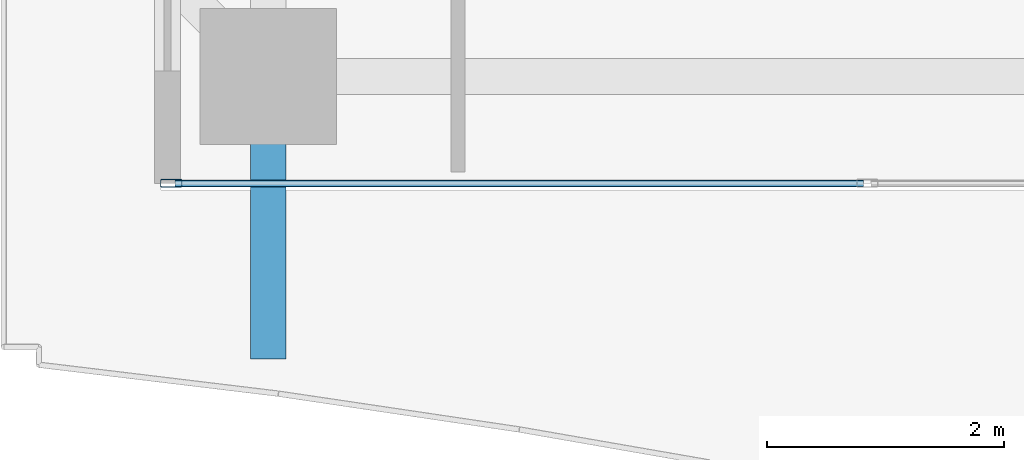
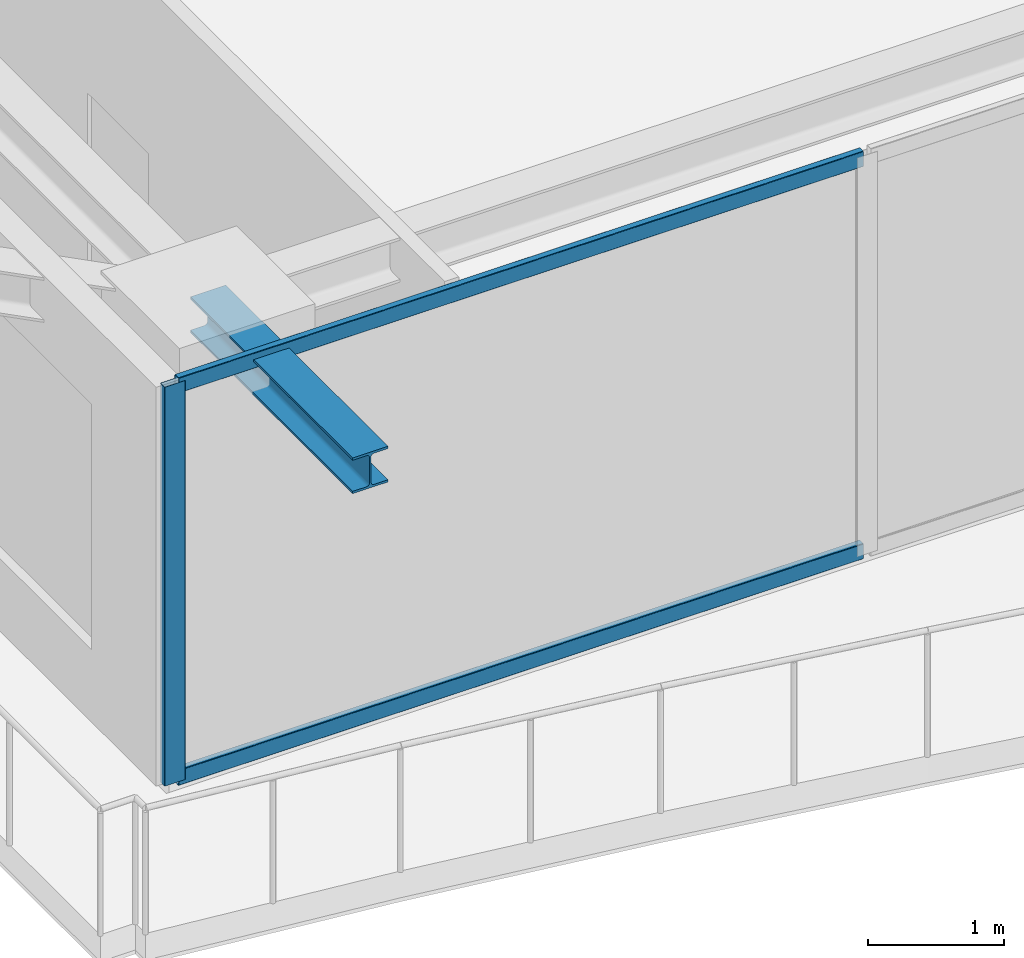
# One storey, part 2 of 36: 3 members, 1 beam, 1 element without a shape of its own.
"""IFC4 building model written with IfcOpenShell, lengths in metres."""

from ifc_helpers import new_model, si_unit, direction, frame, origin, origin_2d, place, context, subcontext, project, spatial, hollow_rectangle, i_section, extrude, source, transform, mapped, material, layer, layer_set, material_profile, profile_set, type_object, element, aggregate, save


model = new_model("IFC4")

# Units and contexts
model_context = context("Model", 3, precision=1e-05, world=origin(), true_north=direction((0.0, 1.0)))
body_context = subcontext(model_context, "Body", "Model", "MODEL_VIEW")
ifc_project = project(units=[si_unit("LENGTHUNIT", "METRE"), si_unit("AREAUNIT", "SQUARE_METRE"), si_unit("VOLUMEUNIT", "CUBIC_METRE"), si_unit("PLANEANGLEUNIT", "RADIAN"), si_unit("MASSUNIT", "GRAM", prefix="KILO")], contexts=[model_context])

# Site, building, storey
site_placement = place(None, origin())
site = spatial("IfcSite", under=ifc_project, at=site_placement, CompositionType="ELEMENT")
building_placement = place(site_placement, origin())
building = spatial("IfcBuilding", under=site, at=building_placement, Name="Serunith Strait Residences", CompositionType="ELEMENT")
storey_placement = place(building_placement, frame((0.0, 0.0, 256.64990234375)))
storey = spatial("IfcBuildingStorey", under=building, at=storey_placement, Name="L64", CompositionType="ELEMENT", Elevation=256.64990234375)

# Beam
ifc_material_1 = material(Name="Steel S355J2", Category="steel")
ifc_material_profile_1 = material_profile(ifc_material_1, i_section(OverallWidth=0.300048828125, OverallDepth=0.320068359375, WebThickness=0.011474609375, FlangeThickness=0.0205078125, FilletRadius=0.027099609375, at=origin_2d()), Name="HEB 320")
ifc_profile_set_1 = profile_set([ifc_material_profile_1], Name="Steel S355J2")
beam_type = type_object("IfcBeamType", Name="BM-HEB320", PredefinedType="BEAM", material=ifc_profile_set_1)
shared_shape_1 = source(origin(), body_context, "Body", "SweptSolid", [
    extrude(i_section(OverallWidth=0.300048828125, OverallDepth=0.320068359375, WebThickness=0.011474609375, FlangeThickness=0.0205078125, FilletRadius=0.027099609375, at=origin_2d()), origin(), (0.0, 0.0, 1.0), 2.3828125),
])
beam_placement = place(storey_placement, frame((16.25, 2.10009765625, 3.397216796875), z_axis=(0.0, -1.0, 0.0), x_axis=(1.0, 0.0, 0.0)))
element("IfcBeam", 1, at=beam_placement, inside=storey, type_object=beam_type, Name="L65 Cantilevered Balcony Rib TC-S1", PredefinedType="BEAM", context=body_context, shape_type="MappedRepresentation", body=[
    mapped(shared_shape_1, transform((0.0, 0.0, 0.0), scale=1.0)),
])

# Curtain wall, members
ifc_material_2 = material(Name="Pale-Champagne Anodised Aluminium", Category="aluminium")
ifc_layer = layer(ifc_material_2, 0.199951171875, Name="Pale-Champagne Anodised Aluminium")
ifc_layer_set = layer_set([ifc_layer], Name="Pale-Champagne Anodised Aluminium")
curtain_wall_type = type_object("IfcCurtainWallType", Name="CW-SYS4", PredefinedType="NOTDEFINED", material=ifc_layer_set)
curtain_wall_placement = place(storey_placement, origin())
curtain_wall = element("IfcCurtainWall", 2, at=curtain_wall_placement, inside=storey, type_object=curtain_wall_type, Name="L64 S Unitised Fritted Curtain Wall", PredefinedType="NOTDEFINED")
ifc_material_profile_2 = material_profile(ifc_material_2, hollow_rectangle(XDim=0.06494140625, YDim=0.179931640625, WallThickness=0.00341796875, InnerFilletRadius=0.00537109375, OuterFilletRadius=0.0087890625, at=origin_2d()), Name="ALU 180x65x3.5")
ifc_profile_set_2 = profile_set([ifc_material_profile_2], Name="Pale-Champagne Anodised Aluminium")
member_type_1 = type_object("IfcMemberType", Name="CW-SYS4-MULL", PredefinedType="MULLION", material=ifc_profile_set_2)
shared_shape_2 = source(origin(), body_context, "Body", "SweptSolid", [
    extrude(hollow_rectangle(XDim=0.06494140625, YDim=0.179931640625, WallThickness=0.00341796875, InnerFilletRadius=0.00537109375, OuterFilletRadius=0.0087890625, at=origin_2d()), origin(), (0.0, 0.0, 1.0), 3.5751953125),
])
member_1_placement = place(storey_placement, frame((15.4326171875, 1.199951171875, 0.0), z_axis=(0.0, 0.0, 1.0), x_axis=(0.0, 1.0, 0.0)))
member_1 = element("IfcMember", 3, at=member_1_placement, type_object=member_type_1, Name="CW-4 mullion 1", PredefinedType="MULLION", context=body_context, shape_type="MappedRepresentation", body=[
    mapped(shared_shape_2, transform((0.0, 0.0, 0.0), scale=1.0)),
])
ifc_material_profile_3 = material_profile(ifc_material_2, hollow_rectangle(XDim=0.06005859375, YDim=0.139892578125, WallThickness=0.00341796875, InnerFilletRadius=0.00537109375, OuterFilletRadius=0.0087890625, at=origin_2d()), Name="ALU 140x60x3.5")
ifc_profile_set_3 = profile_set([ifc_material_profile_3], Name="Pale-Champagne Anodised Aluminium")
member_type_2 = type_object("IfcMemberType", Name="CW-SYS4-TRAN", PredefinedType="USERDEFINED", material=ifc_profile_set_3)
shared_shape_3 = source(origin(), body_context, "Body", "SweptSolid", [
    extrude(hollow_rectangle(XDim=0.06005859375, YDim=0.139892578125, WallThickness=0.00341796875, InnerFilletRadius=0.00537109375, OuterFilletRadius=0.0087890625, at=origin_2d()), origin(), (0.0, 0.0, 1.0), 5.802490234375),
])
member_2_placement = place(storey_placement, frame((15.465087890625, 1.199951171875, 0.030029296875), z_axis=(1.0, 0.0, 0.0), x_axis=(0.0, 1.0, 0.0)))
member_2 = element("IfcMember", 4, at=member_2_placement, type_object=member_type_2, Name="CW-4 transom 1.1", ObjectType="TRANSOM", PredefinedType="USERDEFINED", context=body_context, shape_type="MappedRepresentation", body=[
    mapped(shared_shape_3, transform((0.0, 0.0, 0.0), scale=1.0)),
])
member_3_placement = place(storey_placement, frame((15.465087890625, 1.199951171875, 3.545166015625), z_axis=(1.0, 0.0, 0.0), x_axis=(0.0, 1.0, 0.0)))
member_3 = element("IfcMember", 5, at=member_3_placement, type_object=member_type_2, Name="CW-4 transom 1.2", ObjectType="TRANSOM", PredefinedType="USERDEFINED", context=body_context, shape_type="MappedRepresentation", body=[
    mapped(shared_shape_3, transform((0.0, 0.0, 0.0), scale=1.0)),
])
aggregate(curtain_wall, [member_1, member_2, member_3])

save(model, "model.ifc")
